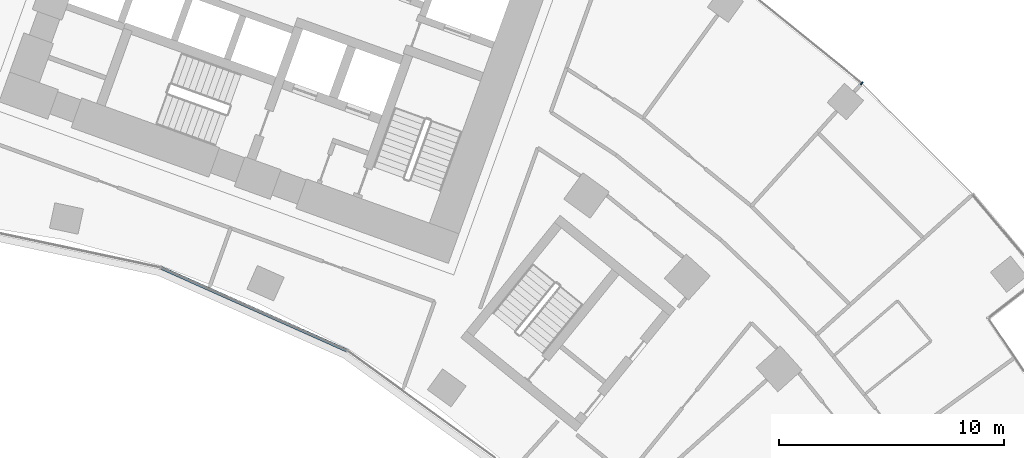
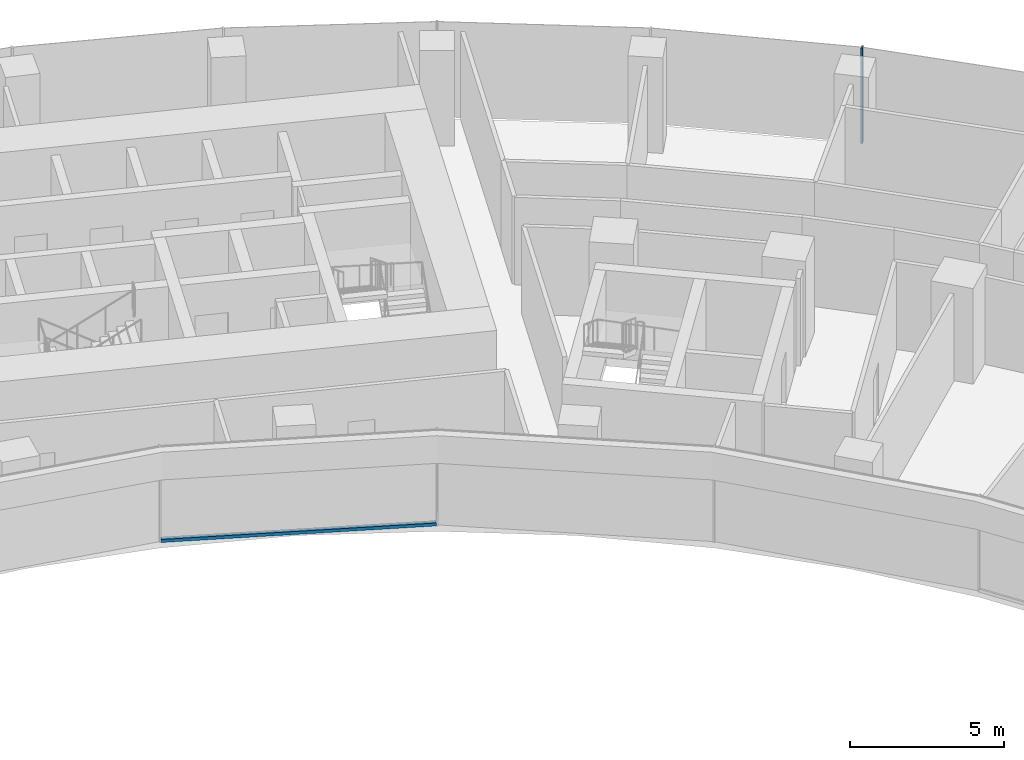
# One storey, part 8 of 20: 2 members, 2 elements without a shape of their own.
"""IFC4 building model written with IfcOpenShell, lengths in metres."""

from ifc_helpers import new_model, si_unit, direction, frame, origin, origin_2d, place, context, subcontext, project, spatial, rectangle, extrude, material, layer, layer_set, material_profile, profile_set, type_object, element, aggregate, save


model = new_model("IFC4")

# Units and contexts
model_context = context("Model", 3, precision=1e-05, world=origin(), true_north=direction((0.0, 1.0)))
body_context = subcontext(model_context, "Body", "Model", "MODEL_VIEW")
ifc_project = project(units=[si_unit("LENGTHUNIT", "METRE"), si_unit("AREAUNIT", "SQUARE_METRE"), si_unit("VOLUMEUNIT", "CUBIC_METRE"), si_unit("PLANEANGLEUNIT", "RADIAN"), si_unit("MASSUNIT", "GRAM", prefix="KILO")], contexts=[model_context])

# Site, building, storey
site_placement = place(None, origin())
site = spatial("IfcSite", under=ifc_project, at=site_placement, CompositionType="ELEMENT")
building_placement = place(site_placement, origin())
building = spatial("IfcBuilding", under=site, at=building_placement, Name="Stone Belt Terrace Tower", CompositionType="ELEMENT")
storey_placement = place(building_placement, frame((0.0, 0.0, 106.0)))
storey = spatial("IfcBuildingStorey", under=building, at=storey_placement, Name="L25", CompositionType="ELEMENT", Elevation=106.0)

# Curtain wall, member
ifc_material = material(Name="Aluminium 6063-T6 anodised frame", Category="aluminium")
ifc_layer_1 = layer(ifc_material, 0.14990234375)
ifc_layer_set_1 = layer_set([ifc_layer_1], Name="CW-A unitised convex-face curtain wall")
curtain_wall_type_1 = type_object("IfcCurtainWallType", Name="CW-A unitised convex-face curtain wall", PredefinedType="NOTDEFINED", material=ifc_layer_set_1)
curtain_wall_1_placement = place(storey_placement, origin())
curtain_wall_1 = element("IfcCurtainWall", 1, at=curtain_wall_1_placement, inside=storey, type_object=curtain_wall_type_1, Name="CW-A convex face L25", PredefinedType="NOTDEFINED")
ifc_material_profile_1 = material_profile(ifc_material, rectangle(XDim=0.14990234375, YDim=0.06005859375, at=origin_2d()), Name="Aluminium 6063-T6 60x150")
ifc_profile_set_1 = profile_set([ifc_material_profile_1], Name="Aluminium 6063-T6 anodised frame")
member_type_1 = type_object("IfcMemberType", Name="CW-A mullion 60 x 150", PredefinedType="MULLION", material=ifc_profile_set_1)
member_1_placement = place(storey_placement, frame((44.54736328125, 49.474853515625, 0.0), z_axis=(0.0, 0.0, 1.0), x_axis=(-0.669130606359, -0.743144825477, 0.0)))
member_1 = element("IfcMember", 2, at=member_1_placement, type_object=member_type_1, Name="CW-A mullion 3", PredefinedType="MULLION", context=body_context, shape_type="SweptSolid", body=[
    extrude(rectangle(XDim=0.14990234375, YDim=0.06005859375, at=origin_2d()), origin(), (0.0, 0.0, 1.0), 3.800048828125),
])
aggregate(curtain_wall_1, [member_1])

ifc_layer_2 = layer(ifc_material, 0.14990234375)
ifc_layer_set_2 = layer_set([ifc_layer_2], Name="CW-B unitised concave-face curtain wall")
curtain_wall_type_2 = type_object("IfcCurtainWallType", Name="CW-B unitised concave-face curtain wall", PredefinedType="NOTDEFINED", material=ifc_layer_set_2)
curtain_wall_2_placement = place(storey_placement, origin())
curtain_wall_2 = element("IfcCurtainWall", 3, at=curtain_wall_2_placement, inside=storey, type_object=curtain_wall_type_2, Name="CW-B concave face L25", PredefinedType="NOTDEFINED")
ifc_material_profile_2 = material_profile(ifc_material, rectangle(XDim=0.14990234375, YDim=0.1201171875, at=origin_2d()), Name="Aluminium 6063-T6 150x120")
ifc_profile_set_2 = profile_set([ifc_material_profile_2], Name="Aluminium 6063-T6 anodised frame")
member_type_2 = type_object("IfcMemberType", Name="CW-B transom 120 x 150", PredefinedType="USERDEFINED", material=ifc_profile_set_2)
member_2_placement = place(storey_placement, frame((13.44873046875, 41.285888671875, 0.06005859375), z_axis=(0.913548853737, -0.406729015237, 0.0), x_axis=(0.406729015237, 0.913548853737, 0.0)))
member_2 = element("IfcMember", 4, at=member_2_placement, type_object=member_type_2, Name="CW-B transom 7.1", ObjectType="TRANSOM", PredefinedType="USERDEFINED", context=body_context, shape_type="SweptSolid", body=[
    extrude(rectangle(XDim=0.14990234375, YDim=0.1201171875, at=origin_2d()), origin(), (0.0, 0.0, 1.0), 9.0126953125),
])
aggregate(curtain_wall_2, [member_2])

save(model, "model.ifc")
